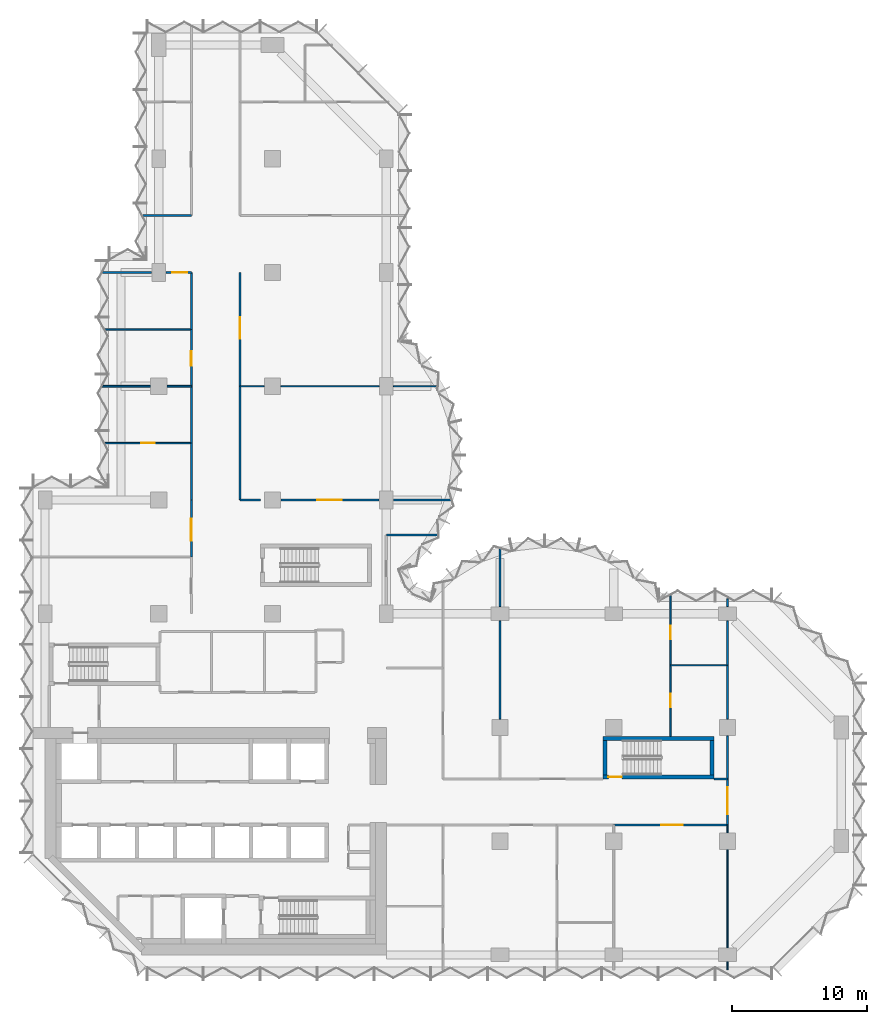
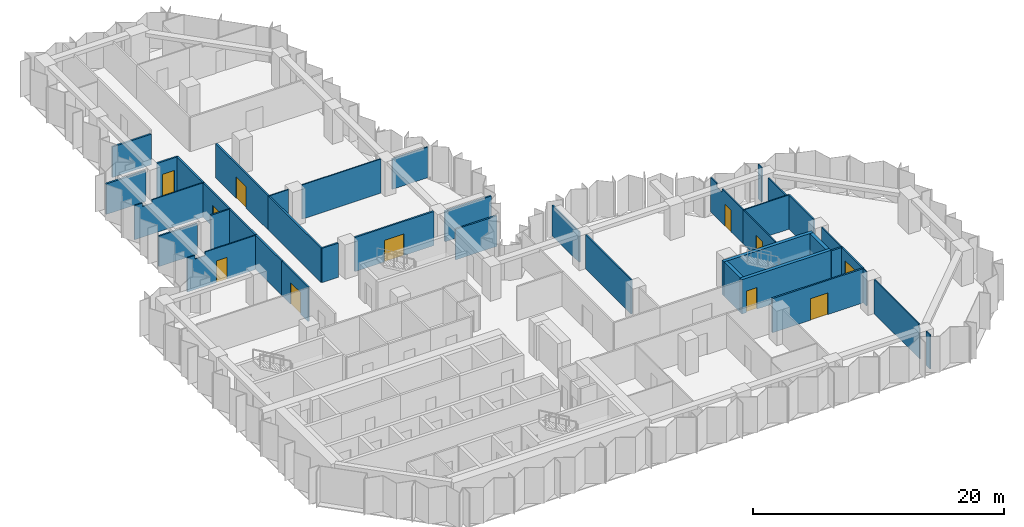
# One storey, part 8 of 11: 40 walls, 11 doors, 11 openings.
"""IFC4 building model written with IfcOpenShell, lengths in metres."""

from ifc_helpers import new_model, si_unit, direction, frame, frame_2d, origin, place, context, subcontext, project, spatial, polyline, rectangle, outline, extrude, material, layer, layer_set, type_object, element, fill, save


model = new_model("IFC4")

# Units and contexts
model_context = context("Model", 3, precision=1e-05, world=origin(), true_north=direction((0.0, 1.0)))
body_context = subcontext(model_context, "Body", "Model", "MODEL_VIEW")
ifc_project = project(units=[si_unit("LENGTHUNIT", "METRE"), si_unit("AREAUNIT", "SQUARE_METRE"), si_unit("VOLUMEUNIT", "CUBIC_METRE"), si_unit("PLANEANGLEUNIT", "RADIAN"), si_unit("MASSUNIT", "GRAM", prefix="KILO")], contexts=[model_context])

# Site, building, storey
site_placement = place(None, origin())
site = spatial("IfcSite", under=ifc_project, at=site_placement, CompositionType="ELEMENT")
building_placement = place(site_placement, origin())
building = spatial("IfcBuilding", under=site, at=building_placement, Name="Brevane Broadcast Tower", CompositionType="ELEMENT")
storey_placement = place(building_placement, frame((0.0, 0.0, 142.10009765625)))
storey = spatial("IfcBuildingStorey", under=building, at=storey_placement, Name="L35", CompositionType="ELEMENT", Elevation=142.10009765625)

# Wall, opening, door
ifc_material_1 = material(Name="Concrete C60/75", Category="concrete")
ifc_layer_1 = layer(ifc_material_1, 0.300048828125)
ifc_layer_set_1 = layer_set([ifc_layer_1], Name="Core wall 300 mm C60/75")
wall_type_1 = type_object("IfcWallType", Name="Core wall 300 mm C60/75", PredefinedType="SHEAR", material=ifc_layer_set_1)
wall_1_placement = place(storey_placement, frame((49.39990234375, 13.14990234375, 0.0), z_axis=(0.0, 0.0, 1.0), x_axis=(-1.0, 0.0, 0.0)))
wall_1 = element("IfcWall", 1, at=wall_1_placement, inside=storey, type_object=wall_type_1, Name="L35 stair wall ST-4-S", PredefinedType="SHEAR", context=body_context, shape_type="SweptSolid", body=[
    extrude(rectangle(XDim=8.199951171875, YDim=0.300048828125, at=frame_2d((4.10009765625, 0.0))), origin(), (0.0, 0.0, 1.0), 3.349853515625),
])
opening_1_placement = place(wall_1_placement, frame((6.800048828125, 0.0, 0.0)))
opening_1 = element("IfcOpeningElement", 2, at=opening_1_placement, cuts=wall_1, Name="Opening L35-K15", PredefinedType="OPENING", context=body_context, shape_type="SweptSolid", body=[
    extrude(rectangle(XDim=1.0, YDim=2.10009765625, at=frame_2d((0.5, 1.050048828125))), frame((0.0, 0.159912109375, 0.0), z_axis=(0.0, -1.0, 0.0), x_axis=(1.0, 0.0, 0.0)), (0.0, 0.0, 1.0), 0.320068359375),
])
ifc_material_2 = material(Name="Steel", Category="steel")
door_type_1 = type_object("IfcDoorType", Name="Stair door 1000 x 2100", OperationType="SINGLE_SWING_LEFT", PredefinedType="DOOR", material=ifc_material_2)
door_1_placement = place(opening_1_placement, origin())
door_1 = element("IfcDoor", 3, at=door_1_placement, inside=storey, type_object=door_type_1, Name="Door L35-K15", OperationType="SINGLE_SWING_LEFT", OverallHeight=2.10009765625, OverallWidth=1.0, PredefinedType="DOOR", context=body_context, shape_type="SweptSolid", body=[
    extrude(rectangle(XDim=1.0, YDim=2.10009765625, at=frame_2d((0.5, 1.050048828125))), frame((0.0, 0.02490234375, 0.0), z_axis=(0.0, -1.0, 0.0), x_axis=(1.0, 0.0, 0.0)), (0.0, 0.0, 1.0), 0.050048828125),
])
fill(opening_1, door_1)

# Walls
wall_2_placement = place(storey_placement, frame((41.199951171875, 16.0, 0.0), z_axis=(0.0, 0.0, 1.0), x_axis=(1.0, 0.0, 0.0)))
element("IfcWall", 4, at=wall_2_placement, inside=storey, type_object=wall_type_1, Name="L35 stair wall ST-4-N", PredefinedType="SHEAR", context=body_context, shape_type="SweptSolid", body=[
    extrude(rectangle(XDim=8.199951171875, YDim=0.300048828125, at=frame_2d((4.10009765625, 0.0))), origin(), (0.0, 0.0, 1.0), 3.349853515625),
])
for number, where, z_axis, x_axis, name in (
    (5, (41.35009765625, 13.300048828125, 0.0), (0.0, 0.0, 1.0), (0.0, 1.0, 0.0), "L35 stair wall ST-4-W"),
    (6, (49.25, 13.300048828125, 0.0), (0.0, 0.0, 1.0), (0.0, 1.0, 0.0), "L35 stair wall ST-4-E"),
):
    element("IfcWall", number, at=place(storey_placement, frame(where, z_axis=z_axis, x_axis=x_axis)), inside=storey, type_object=wall_type_1, Name=name, PredefinedType="SHEAR", context=body_context, shape_type="SweptSolid", body=[
        extrude(rectangle(XDim=2.550048828125, YDim=0.300048828125, at=frame_2d((1.27490234375, 0.0))), origin(), (0.0, 0.0, 1.0), 3.349853515625),
    ])
ifc_material_3 = material(Name="Gypsum board partition")
ifc_layer_2 = layer(ifc_material_3, 0.10009765625)
ifc_layer_set_2 = layer_set([ifc_layer_2], Name="PARTITION 100 STUD")
wall_type_2 = type_object("IfcWallType", Name="PARTITION 100 STUD", PredefinedType="PARTITIONING", material=ifc_layer_set_2)
wall_3_placement = place(storey_placement, frame((50.39990234375, -1.10009765625, 0.0), z_axis=(0.0, 0.0, 1.0), x_axis=(0.0, 1.0, 0.0)))
element("IfcWall", 7, at=wall_3_placement, inside=storey, type_object=wall_type_2, Name="Partition G10-014", PredefinedType="PARTITIONING", context=body_context, shape_type="SweptSolid", body=[
    extrude(rectangle(XDim=0.580078125, YDim=0.10009765625, at=frame_2d((0.2900390625, 0.0))), origin(), (0.0, 0.0, 1.0), 3.329833984375),
])
wall_4_placement = place(storey_placement, frame((50.39990234375, 0.52001953125, 0.0), z_axis=(0.0, 0.0, 1.0), x_axis=(0.0, 1.0, 0.0)))
element("IfcWall", 8, at=wall_4_placement, inside=storey, type_object=wall_type_2, Name="Partition G10-015", PredefinedType="PARTITIONING", context=body_context, shape_type="SweptSolid", body=[
    extrude(outline(polyline([(0.0, 0.0), (7.260009765625, 0.0), (7.260009765625, 3.329833984375), (0.145751953125, 3.329833984375), (0.143798828125, 2.97998046875), (0.0, 2.97998046875), (0.0, 0.0)])), frame((0.0, 0.050048828125, 0.0), z_axis=(0.0, -1.0, 0.0), x_axis=(1.0, 0.0, 0.0)), (0.0, 0.0, 1.0), 0.10009765625),
])
wall_5_placement = place(storey_placement, frame((50.39990234375, 9.02001953125, 0.0), z_axis=(0.0, 0.0, 1.0), x_axis=(0.0, 1.0, 0.0)))
element("IfcWall", 9, at=wall_5_placement, inside=storey, type_object=wall_type_2, Name="Partition G10-016", PredefinedType="PARTITIONING", context=body_context, shape_type="SweptSolid", body=[
    extrude(rectangle(XDim=0.580078125, YDim=0.10009765625, at=frame_2d((0.2900390625, 0.0))), origin(), (0.0, 0.0, 1.0), 3.329833984375),
])

# Wall, opening, door
wall_6_placement = place(storey_placement, frame((46.199951171875, 21.39990234375, 0.0), z_axis=(0.0, 0.0, 1.0), x_axis=(0.0, -1.0, 0.0)))
wall_6 = element("IfcWall", 10, at=wall_6_placement, inside=storey, type_object=wall_type_2, Name="Partition G10-034", PredefinedType="PARTITIONING", context=body_context, shape_type="SweptSolid", body=[
    extrude(rectangle(XDim=5.25, YDim=0.10009765625, at=frame_2d((2.625, 0.0))), origin(), (0.0, 0.0, 1.0), 3.329833984375),
])
opening_2_placement = place(wall_6_placement, frame((2.10009765625, 0.0, 0.0)))
opening_2 = element("IfcOpeningElement", 11, at=opening_2_placement, cuts=wall_6, Name="Opening D17-011", PredefinedType="OPENING", context=body_context, shape_type="SweptSolid", body=[
    extrude(rectangle(XDim=1.0, YDim=2.10009765625, at=frame_2d((0.5, 1.050048828125))), frame((0.0, 0.06005859375, 0.0), z_axis=(0.0, -1.0, 0.0), x_axis=(1.0, 0.0, 0.0)), (0.0, 0.0, 1.0), 0.1201171875),
])
ifc_material_4 = material(Name="Timber door leaf", Category="wood")
door_type_2 = type_object("IfcDoorType", Name="DOOR SINGLE 1000 INTERNAL", OperationType="SINGLE_SWING_LEFT", PredefinedType="DOOR", material=ifc_material_4)
door_2_placement = place(opening_2_placement, origin())
door_2 = element("IfcDoor", 12, at=door_2_placement, inside=storey, type_object=door_type_2, Name="Door D17-011", OperationType="SINGLE_SWING_LEFT", OverallHeight=2.10009765625, OverallWidth=1.0, PredefinedType="DOOR", context=body_context, shape_type="SweptSolid", body=[
    extrude(rectangle(XDim=1.0, YDim=2.10009765625, at=frame_2d((0.5, 1.050048828125))), frame((0.0, 0.02490234375, 0.0), z_axis=(0.0, -1.0, 0.0), x_axis=(1.0, 0.0, 0.0)), (0.0, 0.0, 1.0), 0.050048828125),
])
fill(opening_2, door_2)

wall_7_placement = place(storey_placement, frame((46.199951171875, 26.56494140625, 0.0), z_axis=(0.0, 0.0, 1.0), x_axis=(0.0, -1.0, 0.0)))
wall_7 = element("IfcWall", 13, at=wall_7_placement, inside=storey, type_object=wall_type_2, Name="Partition G10-035", PredefinedType="PARTITIONING", context=body_context, shape_type="SweptSolid", body=[
    extrude(outline(polyline([(0.0, 0.0), (5.1650390625, 0.0), (5.1650390625, 3.329833984375), (1.81494140625, 3.329833984375), (1.81298828125, 2.97998046875), (0.9169921875, 2.97998046875), (0.9150390625, 3.329833984375), (0.264892578125, 3.329833984375), (0.0, 3.329833984375), (0.0, 0.0)])), frame((0.0, 0.050048828125, 0.0), z_axis=(0.0, -1.0, 0.0), x_axis=(1.0, 0.0, 0.0)), (0.0, 0.0, 1.0), 0.10009765625),
])
opening_3_placement = place(wall_7_placement, frame((2.264892578125, 0.0, 0.0)))
opening_3 = element("IfcOpeningElement", 14, at=opening_3_placement, cuts=wall_7, Name="Opening D17-012", PredefinedType="OPENING", context=body_context, shape_type="SweptSolid", body=[
    extrude(rectangle(XDim=1.0, YDim=2.10009765625, at=frame_2d((0.5, 1.050048828125))), frame((0.0, 0.06005859375, 0.0), z_axis=(0.0, -1.0, 0.0), x_axis=(1.0, 0.0, 0.0)), (0.0, 0.0, 1.0), 0.1201171875),
])
door_3_placement = place(opening_3_placement, origin())
door_3 = element("IfcDoor", 15, at=door_3_placement, inside=storey, type_object=door_type_2, Name="Door D17-012", OperationType="SINGLE_SWING_LEFT", OverallHeight=2.10009765625, OverallWidth=1.0, PredefinedType="DOOR", context=body_context, shape_type="SweptSolid", body=[
    extrude(rectangle(XDim=1.0, YDim=2.10009765625, at=frame_2d((0.5, 1.050048828125))), frame((0.0, 0.02490234375, 0.0), z_axis=(0.0, -1.0, 0.0), x_axis=(1.0, 0.0, 0.0)), (0.0, 0.0, 1.0), 0.050048828125),
])
fill(opening_3, door_3)

# Wall
wall_8_placement = place(storey_placement, frame((46.199951171875, 21.39990234375, 0.0), z_axis=(0.0, 0.0, 1.0), x_axis=(1.0, 0.0, 0.0)))
element("IfcWall", 16, at=wall_8_placement, inside=storey, type_object=wall_type_2, Name="Partition G10-036", PredefinedType="PARTITIONING", context=body_context, shape_type="SweptSolid", body=[
    extrude(rectangle(XDim=4.199951171875, YDim=0.10009765625, at=frame_2d((2.10009765625, 0.0))), origin(), (0.0, 0.0, 1.0), 3.329833984375),
])

# Wall, opening, door
wall_9_placement = place(storey_placement, frame((4.426025390625, 37.800048828125, 0.0), z_axis=(0.0, 0.0, 1.0), x_axis=(1.0, 0.0, 0.0)))
wall_9 = element("IfcWall", 17, at=wall_9_placement, inside=storey, type_object=wall_type_2, Name="Partition G10-056", PredefinedType="PARTITIONING", context=body_context, shape_type="SweptSolid", body=[
    extrude(outline(polyline([(0.0, 0.0), (6.3740234375, 0.0), (6.3740234375, 3.329833984375), (1.6240234375, 3.329833984375), (1.6220703125, 2.97998046875), (0.72607421875, 2.97998046875), (0.72412109375, 3.329833984375), (0.073974609375, 3.329833984375), (0.0, 3.329833984375), (0.0, 0.0)])), frame((0.0, 0.050048828125, 0.0), z_axis=(0.0, -1.0, 0.0), x_axis=(1.0, 0.0, 0.0)), (0.0, 0.0, 1.0), 0.10009765625),
])
opening_4_placement = place(wall_9_placement, frame((2.674072265625, 0.0, 0.0)))
opening_4 = element("IfcOpeningElement", 18, at=opening_4_placement, cuts=wall_9, Name="Opening D17-015", PredefinedType="OPENING", context=body_context, shape_type="SweptSolid", body=[
    extrude(rectangle(XDim=1.0, YDim=2.10009765625, at=frame_2d((0.5, 1.050048828125))), frame((0.0, 0.06005859375, 0.0), z_axis=(0.0, -1.0, 0.0), x_axis=(1.0, 0.0, 0.0)), (0.0, 0.0, 1.0), 0.1201171875),
])
door_4_placement = place(opening_4_placement, origin())
door_4 = element("IfcDoor", 19, at=door_4_placement, inside=storey, type_object=door_type_2, Name="Door D17-015", OperationType="SINGLE_SWING_LEFT", OverallHeight=2.10009765625, OverallWidth=1.0, PredefinedType="DOOR", context=body_context, shape_type="SweptSolid", body=[
    extrude(rectangle(XDim=1.0, YDim=2.10009765625, at=frame_2d((0.5, 1.050048828125))), frame((0.0, 0.02490234375, 0.0), z_axis=(0.0, -1.0, 0.0), x_axis=(1.0, 0.0, 0.0)), (0.0, 0.0, 1.0), 0.050048828125),
])
fill(opening_4, door_4)

# Walls
wall_10_placement = place(storey_placement, frame((4.426025390625, 46.199951171875, 0.0), z_axis=(0.0, 0.0, 1.0), x_axis=(1.0, 0.0, 0.0)))
element("IfcWall", 20, at=wall_10_placement, inside=storey, type_object=wall_type_2, Name="Partition G10-059", PredefinedType="PARTITIONING", context=body_context, shape_type="SweptSolid", body=[
    extrude(outline(polyline([(0.0, 0.0), (6.3740234375, 0.0), (6.3740234375, 3.329833984375), (1.6240234375, 3.329833984375), (1.6220703125, 2.97998046875), (0.72607421875, 2.97998046875), (0.72412109375, 3.329833984375), (0.073974609375, 3.329833984375), (0.0, 3.329833984375), (0.0, 0.0)])), frame((0.0, 0.050048828125, 0.0), z_axis=(0.0, -1.0, 0.0), x_axis=(1.0, 0.0, 0.0)), (0.0, 0.0, 1.0), 0.10009765625),
])
wall_11_placement = place(storey_placement, frame((14.39990234375, 42.0, 0.0), z_axis=(0.0, 0.0, 1.0), x_axis=(1.0, 0.0, 0.0)))
element("IfcWall", 21, at=wall_11_placement, inside=storey, type_object=wall_type_2, Name="Partition G10-062", PredefinedType="PARTITIONING", context=body_context, shape_type="SweptSolid", body=[
    extrude(rectangle(XDim=1.780029296875, YDim=0.10009765625, at=frame_2d((0.89013671875, 0.0))), origin(), (0.0, 0.0, 1.0), 3.329833984375),
])
wall_12_placement = place(storey_placement, frame((17.419921875, 42.0, 0.0), z_axis=(0.0, 0.0, 1.0), x_axis=(1.0, 0.0, 0.0)))
element("IfcWall", 22, at=wall_12_placement, inside=storey, type_object=wall_type_2, Name="Partition G10-063", PredefinedType="PARTITIONING", context=body_context, shape_type="SweptSolid", body=[
    extrude(rectangle(XDim=7.260009765625, YDim=0.10009765625, at=frame_2d((3.6298828125, 0.0))), origin(), (0.0, 0.0, 1.0), 3.329833984375),
])
wall_13_placement = place(storey_placement, frame((25.719970703125, 42.0, 0.0), z_axis=(0.0, 0.0, 1.0), x_axis=(1.0, 0.0, 0.0)))
element("IfcWall", 23, at=wall_13_placement, inside=storey, type_object=wall_type_2, Name="Partition G10-064", PredefinedType="PARTITIONING", context=body_context, shape_type="SweptSolid", body=[
    extrude(rectangle(XDim=3.29150390625, YDim=0.10009765625, at=frame_2d((1.645751953125, 0.0))), origin(), (0.0, 0.0, 1.0), 2.97998046875),
])
ifc_layer_3 = layer(ifc_material_3, 0.125)
ifc_layer_set_3 = layer_set([ifc_layer_3], Name="PARTITION 125 ACOUSTIC")
wall_type_3 = type_object("IfcWallType", Name="PARTITION 125 ACOUSTIC", PredefinedType="PARTITIONING", material=ifc_layer_set_3)
wall_14_placement = place(storey_placement, frame((50.39990234375, 13.0, 0.0), z_axis=(0.0, 0.0, 1.0), x_axis=(0.0, 1.0, 0.0)))
element("IfcWall", 24, at=wall_14_placement, inside=storey, type_object=wall_type_3, Name="Partition G10-017", PredefinedType="PARTITIONING", context=body_context, shape_type="SweptSolid", body=[
    extrude(rectangle(XDim=3.179931640625, YDim=0.125, at=frame_2d((1.58984375, 0.0))), origin(), (0.0, 0.0, 1.0), 3.329833984375),
])
wall_15_placement = place(storey_placement, frame((50.39990234375, 17.419921875, 0.0), z_axis=(0.0, 0.0, 1.0), x_axis=(0.0, 1.0, 0.0)))
element("IfcWall", 25, at=wall_15_placement, inside=storey, type_object=wall_type_3, Name="Partition G10-018", PredefinedType="PARTITIONING", context=body_context, shape_type="SweptSolid", body=[
    extrude(rectangle(XDim=3.97998046875, YDim=0.125, at=frame_2d((1.989990234375, 0.0))), origin(), (0.0, 0.0, 1.0), 3.329833984375),
])
wall_16_placement = place(storey_placement, frame((50.39990234375, 21.39990234375, 0.0), z_axis=(0.0, 0.0, 1.0), x_axis=(0.0, 1.0, 0.0)))
element("IfcWall", 26, at=wall_16_placement, inside=storey, type_object=wall_type_3, Name="Partition G10-019", PredefinedType="PARTITIONING", context=body_context, shape_type="SweptSolid", body=[
    extrude(rectangle(XDim=3.280029296875, YDim=0.125, at=frame_2d((1.64013671875, 0.0))), origin(), (0.0, 0.0, 1.0), 2.97998046875),
])
wall_17_placement = place(storey_placement, frame((50.39990234375, 25.719970703125, 0.0), z_axis=(0.0, 0.0, 1.0), x_axis=(0.0, 1.0, 0.0)))
element("IfcWall", 27, at=wall_17_placement, inside=storey, type_object=wall_type_3, Name="Partition G10-020", PredefinedType="PARTITIONING", context=body_context, shape_type="SweptSolid", body=[
    extrude(rectangle(XDim=0.580078125, YDim=0.125, at=frame_2d((0.2900390625, 0.0))), origin(), (0.0, 0.0, 1.0), 3.329833984375),
])
wall_18_placement = place(storey_placement, frame((33.60009765625, 29.98828125, 0.0), z_axis=(0.0, 0.0, 1.0), x_axis=(0.0, -1.0, 0.0)))
element("IfcWall", 28, at=wall_18_placement, inside=storey, type_object=wall_type_3, Name="Partition G10-031", PredefinedType="PARTITIONING", context=body_context, shape_type="SweptSolid", body=[
    extrude(rectangle(XDim=4.268310546875, YDim=0.125, at=frame_2d((2.13427734375, 0.0))), origin(), (0.0, 0.0, 1.0), 2.97998046875),
])
wall_19_placement = place(storey_placement, frame((33.60009765625, 24.679931640625, 0.0), z_axis=(0.0, 0.0, 1.0), x_axis=(0.0, -1.0, 0.0)))
element("IfcWall", 29, at=wall_19_placement, inside=storey, type_object=wall_type_3, Name="Partition G10-032", PredefinedType="PARTITIONING", context=body_context, shape_type="SweptSolid", body=[
    extrude(rectangle(XDim=7.260009765625, YDim=0.125, at=frame_2d((3.6298828125, 0.0))), origin(), (0.0, 0.0, 1.0), 3.329833984375),
])
wall_20_placement = place(storey_placement, frame((4.235107421875, 42.0, 0.0), z_axis=(0.0, 0.0, 1.0), x_axis=(1.0, 0.0, 0.0)))
element("IfcWall", 30, at=wall_20_placement, inside=storey, type_object=wall_type_3, Name="Partition G10-057", PredefinedType="PARTITIONING", context=body_context, shape_type="SweptSolid", body=[
    extrude(rectangle(XDim=3.544921875, YDim=0.125, at=frame_2d((1.7724609375, 0.0))), origin(), (0.0, 0.0, 1.0), 2.97998046875),
])
wall_21_placement = place(storey_placement, frame((9.02001953125, 42.0, 0.0), z_axis=(0.0, 0.0, 1.0), x_axis=(1.0, 0.0, 0.0)))
element("IfcWall", 31, at=wall_21_placement, inside=storey, type_object=wall_type_3, Name="Partition G10-058", PredefinedType="PARTITIONING", context=body_context, shape_type="SweptSolid", body=[
    extrude(rectangle(XDim=1.780029296875, YDim=0.125, at=frame_2d((0.89013671875, 0.0))), origin(), (0.0, 0.0, 1.0), 3.329833984375),
])
ifc_layer_4 = layer(ifc_material_3, 0.14990234375)
ifc_layer_set_4 = layer_set([ifc_layer_4], Name="PARTITION 150 EI 60")
wall_type_4 = type_object("IfcWallType", Name="PARTITION 150 EI 60", PredefinedType="PARTITIONING", material=ifc_layer_set_4)
wall_22_placement = place(storey_placement, frame((25.199951171875, 31.0, 0.0), z_axis=(0.0, 0.0, 1.0), x_axis=(1.0, 0.0, 0.0)))
element("IfcWall", 32, at=wall_22_placement, inside=storey, type_object=wall_type_4, Name="Partition G10-006", PredefinedType="PARTITIONING", context=body_context, shape_type="SweptSolid", body=[
    extrude(rectangle(XDim=3.80615234375, YDim=0.14990234375, at=frame_2d((1.903076171875, 0.0))), origin(), (0.0, 0.0, 1.0), 2.97998046875),
])

# Wall, opening, door
wall_23_placement = place(storey_placement, frame((50.39990234375, 13.0, 0.0), z_axis=(0.0, 0.0, 1.0), x_axis=(0.0, -1.0, 0.0)))
wall_23 = element("IfcWall", 33, at=wall_23_placement, inside=storey, type_object=wall_type_4, Name="Partition G10-007", PredefinedType="PARTITIONING", context=body_context, shape_type="SweptSolid", body=[
    extrude(rectangle(XDim=3.39990234375, YDim=0.14990234375, at=frame_2d((1.699951171875, 0.0))), origin(), (0.0, 0.0, 1.0), 3.329833984375),
])
opening_5_placement = place(wall_23_placement, frame((0.60009765625, 0.0, 0.0)))
opening_5 = element("IfcOpeningElement", 34, at=opening_5_placement, cuts=wall_23, Name="Opening D17-002", PredefinedType="OPENING", context=body_context, shape_type="SweptSolid", body=[
    extrude(rectangle(XDim=2.0, YDim=2.39990234375, at=frame_2d((1.0, 1.199951171875))), frame((0.0, 0.0849609375, 0.0), z_axis=(0.0, -1.0, 0.0), x_axis=(1.0, 0.0, 0.0)), (0.0, 0.0, 1.0), 0.169921875),
])
ifc_material_5 = material(Name="Fire-rated timber door leaf", Category="wood")
door_type_3 = type_object("IfcDoorType", Name="DOOR DOUBLE 2000 FD30S", OperationType="DOUBLE_DOOR_SINGLE_SWING", PredefinedType="DOOR", material=ifc_material_5)
door_5_placement = place(opening_5_placement, origin())
door_5 = element("IfcDoor", 35, at=door_5_placement, inside=storey, type_object=door_type_3, Name="Door D17-002", OperationType="DOUBLE_DOOR_SINGLE_SWING", OverallHeight=2.39990234375, OverallWidth=2.0, PredefinedType="DOOR", context=body_context, shape_type="SweptSolid", body=[
    extrude(rectangle(XDim=2.0, YDim=2.39990234375, at=frame_2d((1.0, 1.199951171875))), frame((0.0, 0.02490234375, 0.0), z_axis=(0.0, -1.0, 0.0), x_axis=(1.0, 0.0, 0.0)), (0.0, 0.0, 1.0), 0.050048828125),
])
fill(opening_5, door_5)

wall_24_placement = place(storey_placement, frame((50.39990234375, 9.60009765625, 0.0), z_axis=(0.0, 0.0, 1.0), x_axis=(-1.0, 0.0, 0.0)))
wall_24 = element("IfcWall", 36, at=wall_24_placement, inside=storey, type_object=wall_type_4, Name="Partition G10-010", PredefinedType="PARTITIONING", context=body_context, shape_type="SweptSolid", body=[
    extrude(rectangle(XDim=8.39990234375, YDim=0.14990234375, at=frame_2d((4.199951171875, 0.0))), origin(), (0.0, 0.0, 1.0), 3.329833984375),
])
opening_6_placement = place(wall_24_placement, frame((3.300048828125, 0.0, 0.0)))
opening_6 = element("IfcOpeningElement", 37, at=opening_6_placement, cuts=wall_24, Name="Opening D17-008", PredefinedType="OPENING", context=body_context, shape_type="SweptSolid", body=[
    extrude(rectangle(XDim=1.60009765625, YDim=2.10009765625, at=frame_2d((0.800048828125, 1.050048828125))), frame((0.0, 0.0849609375, 0.0), z_axis=(0.0, -1.0, 0.0), x_axis=(1.0, 0.0, 0.0)), (0.0, 0.0, 1.0), 0.169921875),
])
door_type_4 = type_object("IfcDoorType", Name="DOOR DOUBLE 1600 FD30S", OperationType="DOUBLE_DOOR_SINGLE_SWING", PredefinedType="DOOR", material=ifc_material_5)
door_6_placement = place(opening_6_placement, origin())
door_6 = element("IfcDoor", 38, at=door_6_placement, inside=storey, type_object=door_type_4, Name="Door D17-008", OperationType="DOUBLE_DOOR_SINGLE_SWING", OverallHeight=2.10009765625, OverallWidth=1.60009765625, PredefinedType="DOOR", context=body_context, shape_type="SweptSolid", body=[
    extrude(rectangle(XDim=1.60009765625, YDim=2.10009765625, at=frame_2d((0.800048828125, 1.050048828125))), frame((0.0, 0.02490234375, 0.0), z_axis=(0.0, -1.0, 0.0), x_axis=(1.0, 0.0, 0.0)), (0.0, 0.0, 1.0), 0.050048828125),
])
fill(opening_6, door_6)

# Wall
wall_25_placement = place(storey_placement, frame((49.39990234375, 13.0, 0.0), z_axis=(0.0, 0.0, 1.0), x_axis=(1.0, 0.0, 0.0)))
element("IfcWall", 39, at=wall_25_placement, inside=storey, type_object=wall_type_4, Name="Partition G10-013", PredefinedType="PARTITIONING", context=body_context, shape_type="SweptSolid", body=[
    extrude(rectangle(XDim=1.0, YDim=0.14990234375, at=frame_2d((0.5, 0.0))), origin(), (0.0, 0.0, 1.0), 3.329833984375),
])

# Wall, opening, door
wall_26_placement = place(storey_placement, frame((10.800048828125, 29.39990234375, 0.0), z_axis=(0.0, 0.0, 1.0), x_axis=(0.0, 1.0, 0.0)))
wall_26 = element("IfcWall", 40, at=wall_26_placement, inside=storey, type_object=wall_type_4, Name="Partition G10-038", PredefinedType="PARTITIONING", context=body_context, shape_type="SweptSolid", body=[
    extrude(rectangle(XDim=4.2001953125, YDim=0.14990234375, at=frame_2d((2.10009765625, 0.0))), origin(), (0.0, 0.0, 1.0), 3.329833984375),
])
opening_7_placement = place(wall_26_placement, frame((1.199951171875, 0.0, 0.0)))
opening_7 = element("IfcOpeningElement", 41, at=opening_7_placement, cuts=wall_26, Name="Opening D17-014", PredefinedType="OPENING", context=body_context, shape_type="SweptSolid", body=[
    extrude(rectangle(XDim=1.60009765625, YDim=2.10009765625, at=frame_2d((0.800048828125, 1.050048828125))), frame((0.0, 0.0849609375, 0.0), z_axis=(0.0, -1.0, 0.0), x_axis=(1.0, 0.0, 0.0)), (0.0, 0.0, 1.0), 0.169921875),
])
door_7_placement = place(opening_7_placement, origin())
door_7 = element("IfcDoor", 42, at=door_7_placement, inside=storey, type_object=door_type_4, Name="Door D17-014", OperationType="DOUBLE_DOOR_SINGLE_SWING", OverallHeight=2.10009765625, OverallWidth=1.60009765625, PredefinedType="DOOR", context=body_context, shape_type="SweptSolid", body=[
    extrude(rectangle(XDim=1.60009765625, YDim=2.10009765625, at=frame_2d((0.800048828125, 1.050048828125))), frame((0.0, 0.02490234375, 0.0), z_axis=(0.0, -1.0, 0.0), x_axis=(1.0, 0.0, 0.0)), (0.0, 0.0, 1.0), 0.050048828125),
])
fill(opening_7, door_7)

# Wall
wall_27_placement = place(storey_placement, frame((14.39990234375, 33.60009765625, 0.0), z_axis=(0.0, 0.0, 1.0), x_axis=(1.0, 0.0, 0.0)))
element("IfcWall", 43, at=wall_27_placement, inside=storey, type_object=wall_type_4, Name="Partition G10-039", PredefinedType="PARTITIONING", context=body_context, shape_type="SweptSolid", body=[
    extrude(rectangle(XDim=1.5, YDim=0.14990234375, at=frame_2d((0.75, 0.0))), origin(), (0.0, 0.0, 1.0), 3.329833984375),
])

# Wall, opening, door
wall_28_placement = place(storey_placement, frame((17.419921875, 33.60009765625, 0.0), z_axis=(0.0, 0.0, 1.0), x_axis=(1.0, 0.0, 0.0)))
wall_28 = element("IfcWall", 44, at=wall_28_placement, inside=storey, type_object=wall_type_4, Name="Partition G10-040", PredefinedType="PARTITIONING", context=body_context, shape_type="SweptSolid", body=[
    extrude(rectangle(XDim=7.260009765625, YDim=0.14990234375, at=frame_2d((3.6298828125, 0.0))), origin(), (0.0, 0.0, 1.0), 3.329833984375),
])
opening_8_placement = place(wall_28_placement, frame((2.699951171875, 0.0, 0.0)))
opening_8 = element("IfcOpeningElement", 45, at=opening_8_placement, cuts=wall_28, Name="Opening D17-020", PredefinedType="OPENING", context=body_context, shape_type="SweptSolid", body=[
    extrude(rectangle(XDim=1.800048828125, YDim=2.10009765625, at=frame_2d((0.89990234375, 1.050048828125))), frame((0.0, 0.0849609375, 0.0), z_axis=(0.0, -1.0, 0.0), x_axis=(1.0, 0.0, 0.0)), (0.0, 0.0, 1.0), 0.169921875),
])
door_type_5 = type_object("IfcDoorType", Name="DOOR DOUBLE 1800 FD30S", OperationType="DOUBLE_DOOR_SINGLE_SWING", PredefinedType="DOOR", material=ifc_material_5)
door_8_placement = place(opening_8_placement, origin())
door_8 = element("IfcDoor", 46, at=door_8_placement, inside=storey, type_object=door_type_5, Name="Door D17-020", OperationType="DOUBLE_DOOR_SINGLE_SWING", OverallHeight=2.10009765625, OverallWidth=1.800048828125, PredefinedType="DOOR", context=body_context, shape_type="SweptSolid", body=[
    extrude(rectangle(XDim=1.800048828125, YDim=2.10009765625, at=frame_2d((0.89990234375, 1.050048828125))), frame((0.0, 0.02490234375, 0.0), z_axis=(0.0, -1.0, 0.0), x_axis=(1.0, 0.0, 0.0)), (0.0, 0.0, 1.0), 0.050048828125),
])
fill(opening_8, door_8)

# Walls
wall_29_placement = place(storey_placement, frame((25.719970703125, 33.60009765625, 0.0), z_axis=(0.0, 0.0, 1.0), x_axis=(1.0, 0.0, 0.0)))
element("IfcWall", 47, at=wall_29_placement, inside=storey, type_object=wall_type_4, Name="Partition G10-041", PredefinedType="PARTITIONING", context=body_context, shape_type="SweptSolid", body=[
    extrude(rectangle(XDim=4.268310546875, YDim=0.14990234375, at=frame_2d((2.13427734375, 0.0))), origin(), (0.0, 0.0, 1.0), 2.97998046875),
])
for number, where, z_axis, x_axis, name in (
    (48, (10.800048828125, 33.60009765625, 0.0), (0.0, 0.0, 1.0), (0.0, 1.0, 0.0), "Partition G10-042"),
    (49, (10.800048828125, 37.800048828125, 0.0), (0.0, 0.0, 1.0), (0.0, 1.0, 0.0), "Partition G10-043"),
):
    element("IfcWall", number, at=place(storey_placement, frame(where, z_axis=z_axis, x_axis=x_axis)), inside=storey, type_object=wall_type_4, Name=name, PredefinedType="PARTITIONING", context=body_context, shape_type="SweptSolid", body=[
        extrude(rectangle(XDim=4.199951171875, YDim=0.14990234375, at=frame_2d((2.10009765625, 0.0))), origin(), (0.0, 0.0, 1.0), 3.329833984375),
    ])

# Wall, opening, door
wall_30_placement = place(storey_placement, frame((10.800048828125, 42.0, 0.0), z_axis=(0.0, 0.0, 1.0), x_axis=(0.0, 1.0, 0.0)))
wall_30 = element("IfcWall", 50, at=wall_30_placement, inside=storey, type_object=wall_type_4, Name="Partition G10-044", PredefinedType="PARTITIONING", context=body_context, shape_type="SweptSolid", body=[
    extrude(rectangle(XDim=4.199951171875, YDim=0.14990234375, at=frame_2d((2.10009765625, 0.0))), origin(), (0.0, 0.0, 1.0), 3.329833984375),
])
opening_9_placement = place(wall_30_placement, frame((1.5, 0.0, 0.0)))
opening_9 = element("IfcOpeningElement", 51, at=opening_9_placement, cuts=wall_30, Name="Opening D17-016", PredefinedType="OPENING", context=body_context, shape_type="SweptSolid", body=[
    extrude(rectangle(XDim=1.10009765625, YDim=2.10009765625, at=frame_2d((0.550048828125, 1.050048828125))), frame((0.0, 0.0849609375, 0.0), z_axis=(0.0, -1.0, 0.0), x_axis=(1.0, 0.0, 0.0)), (0.0, 0.0, 1.0), 0.169921875),
])
door_type_6 = type_object("IfcDoorType", Name="DOOR SINGLE 1100 FD30S", OperationType="SINGLE_SWING_LEFT", PredefinedType="DOOR", material=ifc_material_5)
door_9_placement = place(opening_9_placement, origin())
door_9 = element("IfcDoor", 52, at=door_9_placement, inside=storey, type_object=door_type_6, Name="Door D17-016", OperationType="SINGLE_SWING_LEFT", OverallHeight=2.10009765625, OverallWidth=1.10009765625, PredefinedType="DOOR", context=body_context, shape_type="SweptSolid", body=[
    extrude(rectangle(XDim=1.10009765625, YDim=2.10009765625, at=frame_2d((0.550048828125, 1.050048828125))), frame((0.0, 0.02490234375, 0.0), z_axis=(0.0, -1.0, 0.0), x_axis=(1.0, 0.0, 0.0)), (0.0, 0.0, 1.0), 0.050048828125),
])
fill(opening_9, door_9)

# Walls
wall_31_placement = place(storey_placement, frame((10.800048828125, 46.199951171875, 0.0), z_axis=(0.0, 0.0, 1.0), x_axis=(0.0, 1.0, 0.0)))
element("IfcWall", 53, at=wall_31_placement, inside=storey, type_object=wall_type_4, Name="Partition G10-045", PredefinedType="PARTITIONING", context=body_context, shape_type="SweptSolid", body=[
    extrude(rectangle(XDim=4.199951171875, YDim=0.14990234375, at=frame_2d((2.10009765625, 0.0))), origin(), (0.0, 0.0, 1.0), 3.329833984375),
])
wall_32_placement = place(storey_placement, frame((14.39990234375, 42.0, 0.0), z_axis=(0.0, 0.0, 1.0), x_axis=(0.0, -1.0, 0.0)))
element("IfcWall", 54, at=wall_32_placement, inside=storey, type_object=wall_type_4, Name="Partition G10-048", PredefinedType="PARTITIONING", context=body_context, shape_type="SweptSolid", body=[
    extrude(rectangle(XDim=8.39990234375, YDim=0.14990234375, at=frame_2d((4.199951171875, 0.0))), origin(), (0.0, 0.0, 1.0), 3.329833984375),
])

# Wall, opening, door
wall_33_placement = place(storey_placement, frame((14.39990234375, 50.39990234375, 0.0), z_axis=(0.0, 0.0, 1.0), x_axis=(0.0, -1.0, 0.0)))
wall_33 = element("IfcWall", 55, at=wall_33_placement, inside=storey, type_object=wall_type_4, Name="Partition G10-049", PredefinedType="PARTITIONING", context=body_context, shape_type="SweptSolid", body=[
    extrude(rectangle(XDim=8.39990234375, YDim=0.14990234375, at=frame_2d((4.199951171875, 0.0))), origin(), (0.0, 0.0, 1.0), 3.329833984375),
])
opening_10_placement = place(wall_33_placement, frame((3.300048828125, 0.0, 0.0)))
opening_10 = element("IfcOpeningElement", 56, at=opening_10_placement, cuts=wall_33, Name="Opening D17-021", PredefinedType="OPENING", context=body_context, shape_type="SweptSolid", body=[
    extrude(rectangle(XDim=1.60009765625, YDim=2.10009765625, at=frame_2d((0.800048828125, 1.050048828125))), frame((0.0, 0.0849609375, 0.0), z_axis=(0.0, -1.0, 0.0), x_axis=(1.0, 0.0, 0.0)), (0.0, 0.0, 1.0), 0.169921875),
])
door_10_placement = place(opening_10_placement, origin())
door_10 = element("IfcDoor", 57, at=door_10_placement, inside=storey, type_object=door_type_4, Name="Door D17-021", OperationType="DOUBLE_DOOR_SINGLE_SWING", OverallHeight=2.10009765625, OverallWidth=1.60009765625, PredefinedType="DOOR", context=body_context, shape_type="SweptSolid", body=[
    extrude(rectangle(XDim=1.60009765625, YDim=2.10009765625, at=frame_2d((0.800048828125, 1.050048828125))), frame((0.0, 0.02490234375, 0.0), z_axis=(0.0, -1.0, 0.0), x_axis=(1.0, 0.0, 0.0)), (0.0, 0.0, 1.0), 0.050048828125),
])
fill(opening_10, door_10)

wall_34_placement = place(storey_placement, frame((10.800048828125, 50.39990234375, 0.0), z_axis=(0.0, 0.0, 1.0), x_axis=(-1.0, 0.0, 0.0)))
wall_34 = element("IfcWall", 58, at=wall_34_placement, inside=storey, type_object=wall_type_4, Name="Partition G10-052", PredefinedType="PARTITIONING", context=body_context, shape_type="SweptSolid", body=[
    extrude(rectangle(XDim=1.880126953125, YDim=0.14990234375, at=frame_2d((0.93994140625, 0.0))), origin(), (0.0, 0.0, 1.0), 3.329833984375),
])
opening_11_placement = place(wall_34_placement, frame((0.300048828125, 0.0, 0.0)))
opening_11 = element("IfcOpeningElement", 59, at=opening_11_placement, cuts=wall_34, Name="Opening D17-017", PredefinedType="OPENING", context=body_context, shape_type="SweptSolid", body=[
    extrude(rectangle(XDim=1.10009765625, YDim=2.10009765625, at=frame_2d((0.550048828125, 1.050048828125))), frame((0.0, 0.0849609375, 0.0), z_axis=(0.0, -1.0, 0.0), x_axis=(1.0, 0.0, 0.0)), (0.0, 0.0, 1.0), 0.169921875),
])
door_11_placement = place(opening_11_placement, origin())
door_11 = element("IfcDoor", 60, at=door_11_placement, inside=storey, type_object=door_type_6, Name="Door D17-017", OperationType="SINGLE_SWING_LEFT", OverallHeight=2.10009765625, OverallWidth=1.10009765625, PredefinedType="DOOR", context=body_context, shape_type="SweptSolid", body=[
    extrude(rectangle(XDim=1.10009765625, YDim=2.10009765625, at=frame_2d((0.550048828125, 1.050048828125))), frame((0.0, 0.02490234375, 0.0), z_axis=(0.0, -1.0, 0.0), x_axis=(1.0, 0.0, 0.0)), (0.0, 0.0, 1.0), 0.050048828125),
])
fill(opening_11, door_11)

# Walls
wall_35_placement = place(storey_placement, frame((7.8798828125, 50.39990234375, 0.0), z_axis=(0.0, 0.0, 1.0), x_axis=(-1.0, 0.0, 0.0)))
element("IfcWall", 61, at=wall_35_placement, inside=storey, type_object=wall_type_4, Name="Partition G10-053", PredefinedType="PARTITIONING", context=body_context, shape_type="SweptSolid", body=[
    extrude(rectangle(XDim=3.644775390625, YDim=0.14990234375, at=frame_2d((1.822265625, 0.0))), origin(), (0.0, 0.0, 1.0), 2.97998046875),
])
wall_36_placement = place(storey_placement, frame((7.22607421875, 54.60009765625, 0.0), z_axis=(0.0, 0.0, 1.0), x_axis=(1.0, 0.0, 0.0)))
element("IfcWall", 62, at=wall_36_placement, inside=storey, type_object=wall_type_4, Name="Partition G10-054", PredefinedType="PARTITIONING", context=body_context, shape_type="SweptSolid", body=[
    extrude(rectangle(XDim=3.573974609375, YDim=0.14990234375, at=frame_2d((1.787109375, 0.0))), origin(), (0.0, 0.0, 1.0), 2.97998046875),
])

save(model, "model.ifc")
